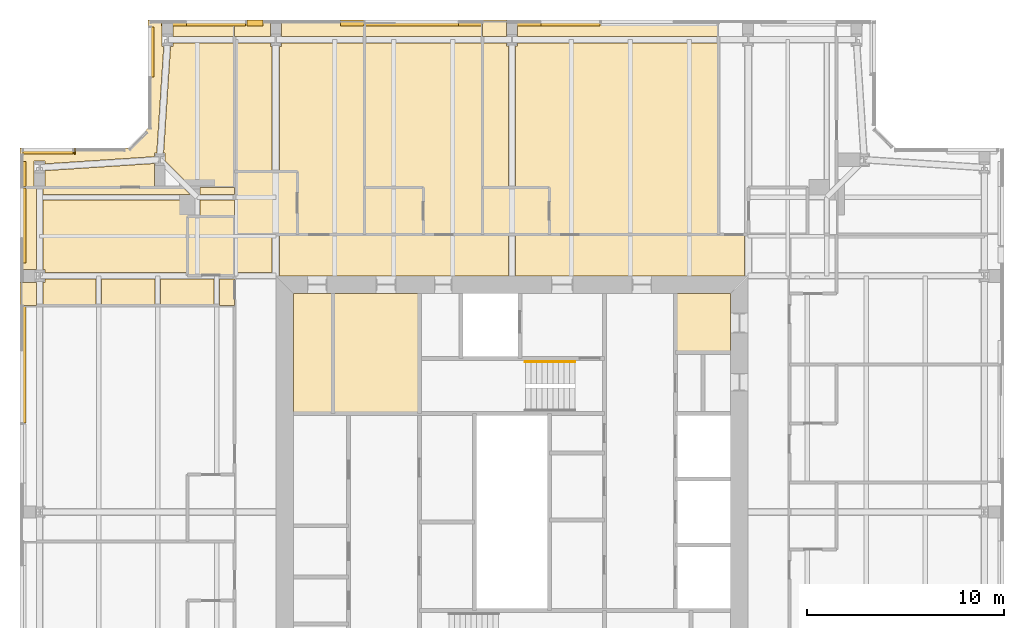
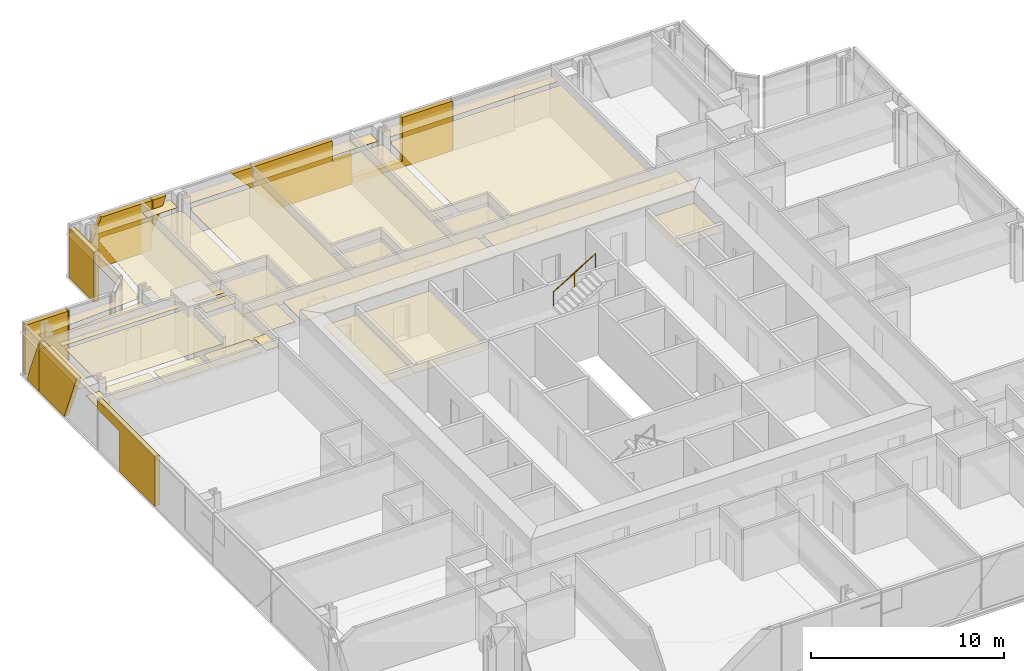
# One storey, part 19 of 20: 45 coverings, 1 railing.
"""IFC4 building model written with IfcOpenShell, lengths in metres."""

from ifc_helpers import new_model, si_unit, direction, frame, origin, origin_2d, place, context, subcontext, project, spatial, polyline, circle, outline, extrude, material, layer, layer_set, type_object, element, save


model = new_model("IFC4")

# Units and contexts
model_context = context("Model", 3, precision=1e-05, world=origin(), true_north=direction((0.0, 1.0)))
body_context = subcontext(model_context, "Body", "Model", "MODEL_VIEW")
ifc_project = project(units=[si_unit("LENGTHUNIT", "METRE"), si_unit("AREAUNIT", "SQUARE_METRE"), si_unit("VOLUMEUNIT", "CUBIC_METRE"), si_unit("PLANEANGLEUNIT", "RADIAN"), si_unit("MASSUNIT", "GRAM", prefix="KILO")], contexts=[model_context])

# Site, building, storey
site_placement = place(None, origin())
site = spatial("IfcSite", under=ifc_project, at=site_placement, CompositionType="ELEMENT")
building_placement = place(site_placement, origin())
building = spatial("IfcBuilding", under=site, at=building_placement, Name="Fenwick Lantern Interchange", CompositionType="ELEMENT")
storey_placement = place(building_placement, frame((0.0, 0.0, 259.39990234375)))
storey = spatial("IfcBuildingStorey", under=building, at=storey_placement, Name="L61", CompositionType="ELEMENT", Elevation=259.39990234375)

# Coverings
ifc_material_1 = material(Name="Granite cladding, warm grey flamed finish, on aluminium carrier frame", Category="masonry")
ifc_layer_1 = layer(ifc_material_1, 0.300048828125)
ifc_layer_set_1 = layer_set([ifc_layer_1], Name="BRACE CASING PANEL 300")
covering_type_1 = type_object("IfcCoveringType", Name="BRACE CASING PANEL 300", PredefinedType="CLADDING", material=ifc_layer_set_1)
covering_1_placement = place(storey_placement, frame((43.39990234375, 49.89990234375, 0.0), z_axis=(0.0, 0.0, 1.0), x_axis=(-1.0, 0.0, 0.0)))
element("IfcCovering", 1, at=covering_1_placement, inside=storey, type_object=covering_type_1, Name="Brace casing 09 bay 03a", PredefinedType="CLADDING", context=body_context, shape_type="SweptSolid", body=[
    extrude(outline(polyline([(13.929931640625, 0.0), (19.8701171875, 0.0), (19.8701171875, 0.384765625), (16.92626953125, 0.384765625), (16.92626953125, 3.150146484375), (13.929931640625, 3.150146484375), (13.929931640625, 0.0)])), frame((0.0, 0.2099609375, 0.0), z_axis=(0.0, -1.0, 0.0), x_axis=(1.0, 0.0, 0.0)), (0.0, 0.0, 1.0), 0.300048828125),
])
covering_2_placement = place(storey_placement, frame((43.39990234375, 49.89990234375, 0.0), z_axis=(0.0, 0.0, 1.0), x_axis=(-1.0, 0.0, 0.0)))
element("IfcCovering", 2, at=covering_2_placement, inside=storey, type_object=covering_type_1, Name="Brace casing 09 bay 04a", PredefinedType="CLADDING", context=body_context, shape_type="SweptSolid", body=[
    extrude(outline(polyline([(19.929931640625, 0.0), (24.335205078125, 0.0), (25.8701171875, 1.739501953125), (25.8701171875, 3.150146484375), (21.1201171875, 3.150146484375), (21.1201171875, 1.79736328125), (19.929931640625, 1.79736328125), (19.929931640625, 0.0)])), frame((0.0, 0.2099609375, 0.0), z_axis=(0.0, -1.0, 0.0), x_axis=(1.0, 0.0, 0.0)), (0.0, 0.0, 1.0), 0.300048828125),
])
covering_3_placement = place(storey_placement, frame((43.39990234375, 49.89990234375, 1.8076171875), z_axis=(0.0, 0.0, 1.0), x_axis=(-1.0, 0.0, 0.0)))
element("IfcCovering", 3, at=covering_3_placement, inside=storey, type_object=covering_type_1, Name="Brace casing 09 bay 05a", PredefinedType="CLADDING", context=body_context, shape_type="SweptSolid", body=[
    extrude(outline(polyline([(25.929931640625, 0.0), (27.114501953125, 1.342529296875), (25.929931640625, 1.342529296875), (25.929931640625, 0.0)])), frame((0.0, 0.2099609375, 0.0), z_axis=(0.0, -1.0, 0.0), x_axis=(1.0, 0.0, 0.0)), (0.0, 0.0, 1.0), 0.300048828125),
])
covering_4_placement = place(storey_placement, frame((43.39990234375, 49.89990234375, 1.158203125), z_axis=(0.0, 0.0, 1.0), x_axis=(-1.0, 0.0, 0.0)))
element("IfcCovering", 4, at=covering_4_placement, inside=storey, type_object=covering_type_1, Name="Brace casing 09 bay 05b", PredefinedType="CLADDING", context=body_context, shape_type="SweptSolid", body=[
    extrude(outline(polyline([(31.8701171875, 0.0), (31.8701171875, 1.991943359375), (31.064453125, 1.991943359375), (31.8701171875, 0.0)])), frame((0.0, 0.2099609375, 0.0), z_axis=(0.0, -1.0, 0.0), x_axis=(1.0, 0.0, 0.0)), (0.0, 0.0, 1.0), 0.300048828125),
])
covering_5_placement = place(storey_placement, frame((43.39990234375, 49.89990234375, 0.0), z_axis=(0.0, 0.0, 1.0), x_axis=(-1.0, 0.0, 0.0)))
element("IfcCovering", 5, at=covering_5_placement, inside=storey, type_object=covering_type_1, Name="Brace casing 09 bay 06a", PredefinedType="CLADDING", context=body_context, shape_type="SweptSolid", body=[
    extrude(outline(polyline([(31.929931640625, 0.0), (36.221435546875, 0.0), (34.94775390625, 3.150146484375), (31.929931640625, 3.150146484375), (31.929931640625, 0.0)])), frame((0.0, 0.2099609375, 0.0), z_axis=(0.0, -1.0, 0.0), x_axis=(1.0, 0.0, 0.0)), (0.0, 0.0, 1.0), 0.300048828125),
])
covering_6_placement = place(storey_placement, frame((6.60009765625, 49.89990234375, 0.0), z_axis=(0.0, 0.0, 1.0), x_axis=(0.0, -1.0, 0.0)))
element("IfcCovering", 6, at=covering_6_placement, inside=storey, type_object=covering_type_1, Name="Brace casing 10 bay 00a", PredefinedType="CLADDING", context=body_context, shape_type="SweptSolid", body=[
    extrude(outline(polyline([(0.260009765625, 0.0), (2.790771484375, 0.0), (2.790771484375, 3.150146484375), (0.260009765625, 3.150146484375), (0.260009765625, 0.0)])), frame((0.0, 0.2099609375, 0.0), z_axis=(0.0, -1.0, 0.0), x_axis=(1.0, 0.0, 0.0)), (0.0, 0.0, 1.0), 0.300048828125),
])
covering_7_placement = place(storey_placement, frame((5.54150390625, 43.39990234375, 0.0), z_axis=(0.0, 0.0, 1.0), x_axis=(-1.0, 0.0, 0.0)))
element("IfcCovering", 7, at=covering_7_placement, inside=storey, type_object=covering_type_1, Name="Brace casing 12 bay 00a", PredefinedType="CLADDING", context=body_context, shape_type="SweptSolid", body=[
    extrude(outline(polyline([(2.741455078125, 0.0), (2.790771484375, 0.0), (2.790771484375, 3.150146484375), (2.741455078125, 3.150146484375), (2.741455078125, 0.0)])), frame((0.0, 0.2099609375, 0.0), z_axis=(0.0, -1.0, 0.0), x_axis=(1.0, 0.0, 0.0)), (0.0, 0.0, 1.0), 0.300048828125),
])
covering_8_placement = place(storey_placement, frame((5.54150390625, 43.39990234375, 0.0), z_axis=(0.0, 0.0, 1.0), x_axis=(-1.0, 0.0, 0.0)))
element("IfcCovering", 8, at=covering_8_placement, inside=storey, type_object=covering_type_1, Name="Brace casing 12 bay 01a", PredefinedType="CLADDING", context=body_context, shape_type="SweptSolid", body=[
    extrude(outline(polyline([(2.850830078125, 0.0), (5.38134765625, 0.0), (5.38134765625, 3.150146484375), (2.850830078125, 3.150146484375), (2.850830078125, 0.0)])), frame((0.0, 0.2099609375, 0.0), z_axis=(0.0, -1.0, 0.0), x_axis=(1.0, 0.0, 0.0)), (0.0, 0.0, 1.0), 0.300048828125),
])
covering_9_placement = place(storey_placement, frame((0.10009765625, 43.39990234375, 0.0), z_axis=(0.0, 0.0, 1.0), x_axis=(0.0, -1.0, 0.0)))
element("IfcCovering", 9, at=covering_9_placement, inside=storey, type_object=covering_type_1, Name="Brace casing 13 bay 00a", PredefinedType="CLADDING", context=body_context, shape_type="SweptSolid", body=[
    extrude(outline(polyline([(0.578369140625, 0.0), (1.8701171875, 0.0), (1.8701171875, 3.150146484375), (1.852294921875, 3.150146484375), (0.578369140625, 0.0)])), frame((0.0, 0.2099609375, 0.0), z_axis=(0.0, -1.0, 0.0), x_axis=(1.0, 0.0, 0.0)), (0.0, 0.0, 1.0), 0.300048828125),
])
covering_10_placement = place(storey_placement, frame((0.10009765625, 43.39990234375, 0.0), z_axis=(0.0, 0.0, 1.0), x_axis=(0.0, -1.0, 0.0)))
element("IfcCovering", 10, at=covering_10_placement, inside=storey, type_object=covering_type_1, Name="Brace casing 13 bay 01a", PredefinedType="CLADDING", context=body_context, shape_type="SweptSolid", body=[
    extrude(outline(polyline([(1.929931640625, 0.0), (4.461669921875, 0.0), (5.735595703125, 3.150146484375), (1.929931640625, 3.150146484375), (1.929931640625, 0.0)])), frame((0.0, 0.2099609375, 0.0), z_axis=(0.0, -1.0, 0.0), x_axis=(1.0, 0.0, 0.0)), (0.0, 0.0, 1.0), 0.300048828125),
])
covering_11_placement = place(storey_placement, frame((0.10009765625, 43.39990234375, 0.0), z_axis=(0.0, 0.0, 1.0), x_axis=(0.0, -1.0, 0.0)))
element("IfcCovering", 11, at=covering_11_placement, inside=storey, type_object=covering_type_1, Name="Brace casing 13 bay 02a", PredefinedType="CLADDING", context=body_context, shape_type="SweptSolid", body=[
    extrude(outline(polyline([(10.195068359375, 0.0), (13.8701171875, 0.0), (13.8701171875, 3.150146484375), (7.929931640625, 3.150146484375), (7.929931640625, 2.572509765625), (10.195068359375, 2.572509765625), (10.195068359375, 0.0)])), frame((0.0, 0.2099609375, 0.0), z_axis=(0.0, -1.0, 0.0), x_axis=(1.0, 0.0, 0.0)), (0.0, 0.0, 1.0), 0.300048828125),
])

# Railing
ifc_material_2 = material(Name="Stainless steel handrail", Category="steel")
railing_type = type_object("IfcRailingType", Name="HANDRAIL 900", PredefinedType="HANDRAIL", material=ifc_material_2)
railing_placement = place(storey_placement, frame((25.679931640625, 32.6259765625, 1.8701171875)))
element("IfcRailing", 12, at=railing_placement, inside=storey, type_object=railing_type, Name="L61/STAIR/ST2/HR2", PredefinedType="HANDRAIL", context=body_context, shape_type="SweptSolid", body=[
    extrude(circle(Radius=0.02392578125, at=origin_2d()), frame((0.0, 0.0, 0.8759765625), z_axis=(0.85478489116, 0.0, 0.518982456201), x_axis=(0.0, 1.0, 0.0)), (0.0, 0.0, 1.0), 2.9482421875),
    extrude(circle(Radius=0.02099609375, at=origin_2d()), origin(), (0.0, 0.0, 1.0), 0.851806640625),
    extrude(circle(Radius=0.02099609375, at=origin_2d()), frame((1.260009765625, 0.0, 0.76513671875)), (0.0, 0.0, 1.0), 0.851806640625),
    extrude(circle(Radius=0.02099609375, at=origin_2d()), frame((2.52001953125, 0.0, 1.530029296875)), (0.0, 0.0, 1.0), 0.851806640625),
])

# Coverings
ifc_material_3 = material(Name="Moisture resistant gypsum board on suspended frame, painted")
ifc_layer_2 = layer(ifc_material_3, 0.014892578125)
ifc_layer_set_2 = layer_set([ifc_layer_2], Name="MOISTURE RESISTANT CEILING 15")
covering_type_2 = type_object("IfcCoveringType", Name="MOISTURE RESISTANT CEILING 15", PredefinedType="CEILING", material=ifc_layer_set_2)
covering_12_placement = place(storey_placement, frame((0.0, 0.0, 2.60009765625)))
element("IfcCovering", 13, at=covering_12_placement, inside=storey, type_object=covering_type_2, Name="Women's WC ceiling", PredefinedType="CEILING", context=body_context, shape_type="SweptSolid", body=[
    extrude(outline(polyline([(20.300048828125, 36.10009765625), (15.89990234375, 36.10009765625), (15.89990234375, 30.0), (20.300048828125, 30.0), (20.300048828125, 36.10009765625)])), origin(), (0.0, 0.0, 1.0), 0.014892578125),
])
covering_13_placement = place(storey_placement, frame((0.0, 0.0, 2.60009765625)))
element("IfcCovering", 14, at=covering_13_placement, inside=storey, type_object=covering_type_2, Name="Men's WC ceiling", PredefinedType="CEILING", context=body_context, shape_type="SweptSolid", body=[
    extrude(outline(polyline([(15.89990234375, 36.10009765625), (13.89990234375, 36.10009765625), (13.89990234375, 30.0), (15.89990234375, 30.0), (15.89990234375, 36.10009765625)])), origin(), (0.0, 0.0, 1.0), 0.014892578125),
])
covering_14_placement = place(storey_placement, frame((0.0, 0.0, 2.60009765625)))
element("IfcCovering", 15, at=covering_14_placement, inside=storey, type_object=covering_type_2, Name="Accessible WC ceiling", PredefinedType="CEILING", context=body_context, shape_type="SweptSolid", body=[
    extrude(outline(polyline([(36.10009765625, 36.10009765625), (33.300048828125, 36.10009765625), (33.300048828125, 33.10009765625), (36.10009765625, 33.10009765625), (36.10009765625, 36.10009765625)])), origin(), (0.0, 0.0, 1.0), 0.014892578125),
])
covering_15_placement = place(storey_placement, frame((0.0, 0.0, 2.400146484375)))
element("IfcCovering", 16, at=covering_15_placement, inside=storey, type_object=covering_type_2, Name="En-suite 6110 ceiling", PredefinedType="CEILING", context=body_context, shape_type="SweptSolid", body=[
    extrude(outline(polyline([(26.89990234375, 41.5), (23.5, 41.5), (23.5, 39.10009765625), (26.89990234375, 39.10009765625), (26.89990234375, 41.5)])), origin(), (0.0, 0.0, 1.0), 0.014892578125),
])
covering_16_placement = place(storey_placement, frame((0.0, 0.0, 2.400146484375)))
element("IfcCovering", 17, at=covering_16_placement, inside=storey, type_object=covering_type_2, Name="En-suite 6111 ceiling", PredefinedType="CEILING", context=body_context, shape_type="SweptSolid", body=[
    extrude(outline(polyline([(20.5, 41.5), (17.5, 41.5), (17.5, 39.10009765625), (20.5, 39.10009765625), (20.5, 41.5)])), origin(), (0.0, 0.0, 1.0), 0.014892578125),
])
covering_17_placement = place(storey_placement, frame((0.0, 0.0, 2.400146484375)))
element("IfcCovering", 18, at=covering_17_placement, inside=storey, type_object=covering_type_2, Name="En-suite 6112 ceiling", PredefinedType="CEILING", context=body_context, shape_type="SweptSolid", body=[
    extrude(outline(polyline([(14.10009765625, 42.300048828125), (10.89990234375, 42.300048828125), (10.89990234375, 39.10009765625), (14.10009765625, 39.10009765625), (14.10009765625, 42.300048828125)])), origin(), (0.0, 0.0, 1.0), 0.014892578125),
])
covering_18_placement = place(storey_placement, frame((0.0, 0.0, 2.400146484375)))
element("IfcCovering", 19, at=covering_18_placement, inside=storey, type_object=covering_type_2, Name="En-suite 6113 ceiling", PredefinedType="CEILING", context=body_context, shape_type="SweptSolid", body=[
    extrude(outline(polyline([(8.5, 40.02490234375), (8.5, 37.02490234375), (10.89990234375, 37.02490234375), (10.89990234375, 40.02490234375), (8.5, 40.02490234375)])), origin(), (0.0, 0.0, 1.0), 0.014892578125),
])
ifc_material_4 = material(Name="Gypsum plasterboard on suspended frame, painted")
ifc_layer_3 = layer(ifc_material_4, 0.014892578125)
ifc_layer_set_3 = layer_set([ifc_layer_3], Name="PLASTERBOARD CEILING 15")
covering_type_3 = type_object("IfcCoveringType", Name="PLASTERBOARD CEILING 15", PredefinedType="CEILING", material=ifc_layer_set_3)
covering_19_placement = place(storey_placement, frame((0.0, 0.0, 2.572998046875)))
element("IfcCovering", 20, at=covering_19_placement, inside=storey, type_object=covering_type_3, Name="Corridor ceiling", PredefinedType="CEILING", context=body_context, shape_type="SweptSolid", body=[
    extrude(outline(polyline([(24.816162109375, 39.10009765625), (13.183837890625, 39.10009765625), (13.183837890625, 37.0), (24.816162109375, 37.0), (24.816162109375, 39.10009765625)])), origin(), (0.0, 0.0, 1.0), 0.014892578125),
])
covering_20_placement = place(storey_placement, frame((0.0, 0.0, 2.572998046875)))
element("IfcCovering", 21, at=covering_20_placement, inside=storey, type_object=covering_type_3, Name="Corridor ceiling", PredefinedType="CEILING", context=body_context, shape_type="SweptSolid", body=[
    extrude(outline(polyline([(36.816162109375, 39.10009765625), (25.183837890625, 39.10009765625), (25.183837890625, 37.0), (36.816162109375, 37.0), (36.816162109375, 39.10009765625)])), origin(), (0.0, 0.0, 1.0), 0.014892578125),
])
covering_21_placement = place(storey_placement, frame((0.0, 0.0, 2.572998046875)))
element("IfcCovering", 22, at=covering_21_placement, inside=storey, type_object=covering_type_3, Name="Corridor ceiling", PredefinedType="CEILING", context=body_context, shape_type="SweptSolid", body=[
    extrude(outline(polyline([(12.816162109375, 39.10009765625), (10.89990234375, 39.10009765625), (10.89990234375, 37.166015625), (12.816162109375, 37.166015625), (12.816162109375, 39.10009765625)])), origin(), (0.0, 0.0, 1.0), 0.014892578125),
])
covering_22_placement = place(storey_placement, frame((0.0, 0.0, 2.572998046875)))
element("IfcCovering", 23, at=covering_22_placement, inside=storey, type_object=covering_type_3, Name="Guest suite 6110 ceiling", PredefinedType="CEILING", context=body_context, shape_type="SweptSolid", body=[
    extrude(outline(polyline([(25.27099609375, 48.6845703125), (25.183837890625, 48.6845703125), (25.183837890625, 41.5), (26.89990234375, 41.5), (26.89990234375, 39.10009765625), (35.5, 39.10009765625), (35.5, 48.82763671875), (25.27099609375, 48.82763671875), (25.27099609375, 48.6845703125)])), origin(), (0.0, 0.0, 1.0), 0.014892578125),
])
covering_23_placement = place(storey_placement, frame((0.0, 0.0, 2.572998046875)))
element("IfcCovering", 24, at=covering_23_placement, inside=storey, type_object=covering_type_3, Name="Guest suite 6110 ceiling", PredefinedType="CEILING", context=body_context, shape_type="SweptSolid", body=[
    extrude(outline(polyline([(24.72900390625, 48.6845703125), (24.72900390625, 48.82763671875), (23.5, 48.82763671875), (23.5, 41.5), (24.816162109375, 41.5), (24.816162109375, 48.6845703125), (24.72900390625, 48.6845703125)])), origin(), (0.0, 0.0, 1.0), 0.014892578125),
])
covering_24_placement = place(storey_placement, frame((0.0, 0.0, 2.572998046875)))
element("IfcCovering", 25, at=covering_24_placement, inside=storey, type_object=covering_type_3, Name="Guest suite 6110 ceiling", PredefinedType="CEILING", context=body_context, shape_type="SweptSolid", body=[
    extrude(outline(polyline([(25.27099609375, 50.0), (25.27099609375, 49.17236328125), (35.5, 49.17236328125), (35.5, 50.0), (25.27099609375, 50.0)])), origin(), (0.0, 0.0, 1.0), 0.014892578125),
])
covering_25_placement = place(storey_placement, frame((0.0, 0.0, 2.572998046875)))
element("IfcCovering", 26, at=covering_25_placement, inside=storey, type_object=covering_type_3, Name="Guest suite 6110 ceiling", PredefinedType="CEILING", context=body_context, shape_type="SweptSolid", body=[
    extrude(outline(polyline([(24.72900390625, 49.17236328125), (24.72900390625, 50.0), (23.5, 50.0), (23.5, 49.17236328125), (24.72900390625, 49.17236328125)])), origin(), (0.0, 0.0, 1.0), 0.014892578125),
])
covering_26_placement = place(storey_placement, frame((0.0, 0.0, 2.572998046875)))
element("IfcCovering", 27, at=covering_26_placement, inside=storey, type_object=covering_type_3, Name="Guest room 6111 ceiling", PredefinedType="CEILING", context=body_context, shape_type="SweptSolid", body=[
    extrude(outline(polyline([(23.5, 39.10009765625), (23.5, 48.82763671875), (17.5, 48.82763671875), (17.5, 41.5), (20.5, 41.5), (20.5, 39.10009765625), (23.5, 39.10009765625)])), origin(), (0.0, 0.0, 1.0), 0.014892578125),
])
covering_27_placement = place(storey_placement, frame((0.0, 0.0, 2.572998046875)))
element("IfcCovering", 28, at=covering_27_placement, inside=storey, type_object=covering_type_3, Name="Guest room 6111 ceiling", PredefinedType="CEILING", context=body_context, shape_type="SweptSolid", body=[
    extrude(outline(polyline([(23.5, 50.0), (17.5, 50.0), (17.5, 49.17236328125), (23.5, 49.17236328125), (23.5, 50.0)])), origin(), (0.0, 0.0, 1.0), 0.014892578125),
])
covering_28_placement = place(storey_placement, frame((0.0, 0.0, 2.572998046875)))
element("IfcCovering", 29, at=covering_28_placement, inside=storey, type_object=covering_type_3, Name="Guest room 6112 ceiling", PredefinedType="CEILING", context=body_context, shape_type="SweptSolid", body=[
    extrude(outline(polyline([(13.27734375, 48.66552734375), (13.183837890625, 48.66552734375), (13.183837890625, 42.300048828125), (14.10009765625, 42.300048828125), (14.10009765625, 39.10009765625), (17.5, 39.10009765625), (17.5, 48.82763671875), (13.27734375, 48.82763671875), (13.27734375, 48.66552734375)])), origin(), (0.0, 0.0, 1.0), 0.014892578125),
])
covering_29_placement = place(storey_placement, frame((0.0, 0.0, 2.572998046875)))
element("IfcCovering", 30, at=covering_29_placement, inside=storey, type_object=covering_type_3, Name="Guest room 6112 ceiling", PredefinedType="CEILING", context=body_context, shape_type="SweptSolid", body=[
    extrude(outline(polyline([(12.72265625, 48.66552734375), (12.72265625, 48.82763671875), (10.89990234375, 48.82763671875), (10.89990234375, 42.300048828125), (12.816162109375, 42.300048828125), (12.816162109375, 48.66552734375), (12.72265625, 48.66552734375)])), origin(), (0.0, 0.0, 1.0), 0.014892578125),
])
covering_30_placement = place(storey_placement, frame((0.0, 0.0, 2.572998046875)))
element("IfcCovering", 31, at=covering_30_placement, inside=storey, type_object=covering_type_3, Name="Guest room 6112 ceiling", PredefinedType="CEILING", context=body_context, shape_type="SweptSolid", body=[
    extrude(outline(polyline([(13.27734375, 50.0), (13.27734375, 49.17236328125), (17.5, 49.17236328125), (17.5, 50.0), (13.27734375, 50.0)])), origin(), (0.0, 0.0, 1.0), 0.014892578125),
])
covering_31_placement = place(storey_placement, frame((0.0, 0.0, 2.572998046875)))
element("IfcCovering", 32, at=covering_31_placement, inside=storey, type_object=covering_type_3, Name="Guest room 6112 ceiling", PredefinedType="CEILING", context=body_context, shape_type="SweptSolid", body=[
    extrude(outline(polyline([(12.72265625, 49.17236328125), (12.72265625, 50.0), (10.89990234375, 50.0), (10.89990234375, 49.17236328125), (12.72265625, 49.17236328125)])), origin(), (0.0, 0.0, 1.0), 0.014892578125),
])
covering_32_placement = place(storey_placement, frame((0.0, 0.0, 2.572998046875)))
element("IfcCovering", 33, at=covering_32_placement, inside=storey, type_object=covering_type_3, Name="Guest suite 6113 sitting room ceiling", PredefinedType="CEILING", context=body_context, shape_type="SweptSolid", body=[
    extrude(outline(polyline([(7.77734375, 48.66552734375), (7.65087890625, 48.66552734375), (7.294677734375, 43.234375), (7.37744140625, 43.234375), (7.37744140625, 42.839599609375), (8.716796875, 41.5), (10.89990234375, 41.5), (10.89990234375, 48.82763671875), (7.77734375, 48.82763671875), (7.77734375, 48.66552734375)])), origin(), (0.0, 0.0, 1.0), 0.014892578125),
])
covering_33_placement = place(storey_placement, frame((0.0, 0.0, 2.572998046875)))
element("IfcCovering", 34, at=covering_33_placement, inside=storey, type_object=covering_type_3, Name="Guest suite 6113 sitting room ceiling", PredefinedType="CEILING", context=body_context, shape_type="SweptSolid", body=[
    extrude(outline(polyline([(7.22265625, 48.66552734375), (7.22265625, 50.0), (6.5, 50.0), (6.5, 44.5), (5.5, 43.5), (0.0, 43.5), (0.0, 41.5), (0.72265625, 41.5), (0.72265625, 42.83447265625), (1.27734375, 42.83447265625), (1.27734375, 42.69091796875), (6.82275390625, 43.0546875), (6.82275390625, 43.234375), (6.94921875, 43.234375), (7.30517578125, 48.66552734375), (7.22265625, 48.66552734375)])), origin(), (0.0, 0.0, 1.0), 0.014892578125),
])
covering_34_placement = place(storey_placement, frame((0.0, 0.0, 2.572998046875)))
element("IfcCovering", 35, at=covering_34_placement, inside=storey, type_object=covering_type_3, Name="Guest suite 6113 sitting room ceiling", PredefinedType="CEILING", context=body_context, shape_type="SweptSolid", body=[
    extrude(outline(polyline([(6.82275390625, 41.5), (6.82275390625, 42.708984375), (1.27734375, 42.345458984375), (1.27734375, 41.5), (6.82275390625, 41.5)])), origin(), (0.0, 0.0, 1.0), 0.014892578125),
])
covering_35_placement = place(storey_placement, frame((0.0, 0.0, 2.572998046875)))
element("IfcCovering", 36, at=covering_35_placement, inside=storey, type_object=covering_type_3, Name="Guest suite 6113 sitting room ceiling", PredefinedType="CEILING", context=body_context, shape_type="SweptSolid", body=[
    extrude(outline(polyline([(7.77734375, 50.0), (7.77734375, 49.17236328125), (10.89990234375, 49.17236328125), (10.89990234375, 50.0), (7.77734375, 50.0)])), origin(), (0.0, 0.0, 1.0), 0.014892578125),
])
covering_36_placement = place(storey_placement, frame((0.0, 0.0, 2.7001953125)))
element("IfcCovering", 37, at=covering_36_placement, inside=storey, type_object=covering_type_3, Name="Guest suite 6113 bedroom ceiling", PredefinedType="CEILING", context=body_context, shape_type="SweptSolid", body=[
    extrude(outline(polyline([(1.27734375, 37.33447265625), (1.27734375, 37.166015625), (8.5, 37.166015625), (8.5, 40.02490234375), (8.865478515625, 40.02490234375), (8.865478515625, 40.865478515625), (1.17236328125, 40.865478515625), (1.17236328125, 37.33447265625), (1.27734375, 37.33447265625)])), origin(), (0.0, 0.0, 1.0), 0.014892578125),
])
covering_37_placement = place(storey_placement, frame((0.0, 0.0, 2.7001953125)))
element("IfcCovering", 38, at=covering_37_placement, inside=storey, type_object=covering_type_3, Name="Guest suite 6113 bedroom ceiling", PredefinedType="CEILING", context=body_context, shape_type="SweptSolid", body=[
    extrude(outline(polyline([(4.134521484375, 35.5), (6.865478515625, 35.5), (6.865478515625, 36.833984375), (4.134521484375, 36.833984375), (4.134521484375, 35.5)])), origin(), (0.0, 0.0, 1.0), 0.014892578125),
])
covering_38_placement = place(storey_placement, frame((0.0, 0.0, 2.7001953125)))
element("IfcCovering", 39, at=covering_38_placement, inside=storey, type_object=covering_type_3, Name="Guest suite 6113 bedroom ceiling", PredefinedType="CEILING", context=body_context, shape_type="SweptSolid", body=[
    extrude(outline(polyline([(7.134521484375, 35.5), (9.865478515625, 35.5), (9.865478515625, 36.833984375), (7.134521484375, 36.833984375), (7.134521484375, 35.5)])), origin(), (0.0, 0.0, 1.0), 0.014892578125),
])
covering_39_placement = place(storey_placement, frame((0.0, 0.0, 2.7001953125)))
element("IfcCovering", 40, at=covering_39_placement, inside=storey, type_object=covering_type_3, Name="Guest suite 6113 bedroom ceiling", PredefinedType="CEILING", context=body_context, shape_type="SweptSolid", body=[
    extrude(outline(polyline([(1.27734375, 36.66552734375), (1.17236328125, 36.66552734375), (1.17236328125, 35.5), (3.865478515625, 35.5), (3.865478515625, 36.833984375), (1.27734375, 36.833984375), (1.27734375, 36.66552734375)])), origin(), (0.0, 0.0, 1.0), 0.014892578125),
])
covering_40_placement = place(storey_placement, frame((0.0, 0.0, 2.7001953125)))
element("IfcCovering", 41, at=covering_40_placement, inside=storey, type_object=covering_type_3, Name="Guest suite 6113 bedroom ceiling", PredefinedType="CEILING", context=body_context, shape_type="SweptSolid", body=[
    extrude(outline(polyline([(0.0, 37.33447265625), (0.82763671875, 37.33447265625), (0.82763671875, 41.5), (0.0, 41.5), (0.0, 37.33447265625)])), origin(), (0.0, 0.0, 1.0), 0.014892578125),
])
covering_41_placement = place(storey_placement, frame((0.0, 0.0, 2.7001953125)))
element("IfcCovering", 42, at=covering_41_placement, inside=storey, type_object=covering_type_3, Name="Guest suite 6113 bedroom ceiling", PredefinedType="CEILING", context=body_context, shape_type="SweptSolid", body=[
    extrude(outline(polyline([(8.283203125, 41.5), (1.17236328125, 41.5), (1.17236328125, 41.134521484375), (8.648681640625, 41.134521484375), (8.283203125, 41.5)])), origin(), (0.0, 0.0, 1.0), 0.014892578125),
])
covering_42_placement = place(storey_placement, frame((0.0, 0.0, 2.7001953125)))
element("IfcCovering", 43, at=covering_42_placement, inside=storey, type_object=covering_type_3, Name="Guest suite 6113 bedroom ceiling", PredefinedType="CEILING", context=body_context, shape_type="SweptSolid", body=[
    extrude(outline(polyline([(10.89990234375, 40.02490234375), (10.89990234375, 40.865478515625), (9.134521484375, 40.865478515625), (9.134521484375, 40.02490234375), (10.89990234375, 40.02490234375)])), origin(), (0.0, 0.0, 1.0), 0.014892578125),
])
covering_43_placement = place(storey_placement, frame((0.0, 0.0, 2.7001953125)))
element("IfcCovering", 44, at=covering_43_placement, inside=storey, type_object=covering_type_3, Name="Guest suite 6113 bedroom ceiling", PredefinedType="CEILING", context=body_context, shape_type="SweptSolid", body=[
    extrude(outline(polyline([(10.89990234375, 35.5), (10.89990234375, 36.833984375), (10.134521484375, 36.833984375), (10.134521484375, 35.5), (10.89990234375, 35.5)])), origin(), (0.0, 0.0, 1.0), 0.014892578125),
])
covering_44_placement = place(storey_placement, frame((0.0, 0.0, 2.7001953125)))
element("IfcCovering", 45, at=covering_44_placement, inside=storey, type_object=covering_type_3, Name="Guest suite 6113 bedroom ceiling", PredefinedType="CEILING", context=body_context, shape_type="SweptSolid", body=[
    extrude(outline(polyline([(0.0, 36.66552734375), (0.0, 35.5), (0.82763671875, 35.5), (0.82763671875, 36.66552734375), (0.0, 36.66552734375)])), origin(), (0.0, 0.0, 1.0), 0.014892578125),
])
covering_45_placement = place(storey_placement, frame((0.0, 0.0, 2.7001953125)))
element("IfcCovering", 46, at=covering_45_placement, inside=storey, type_object=covering_type_3, Name="Guest suite 6113 bedroom ceiling", PredefinedType="CEILING", context=body_context, shape_type="SweptSolid", body=[
    extrude(outline(polyline([(10.89990234375, 41.5), (9.134521484375, 41.5), (9.134521484375, 41.134521484375), (10.89990234375, 41.134521484375), (10.89990234375, 41.5)])), origin(), (0.0, 0.0, 1.0), 0.014892578125),
])

save(model, "model.ifc")
